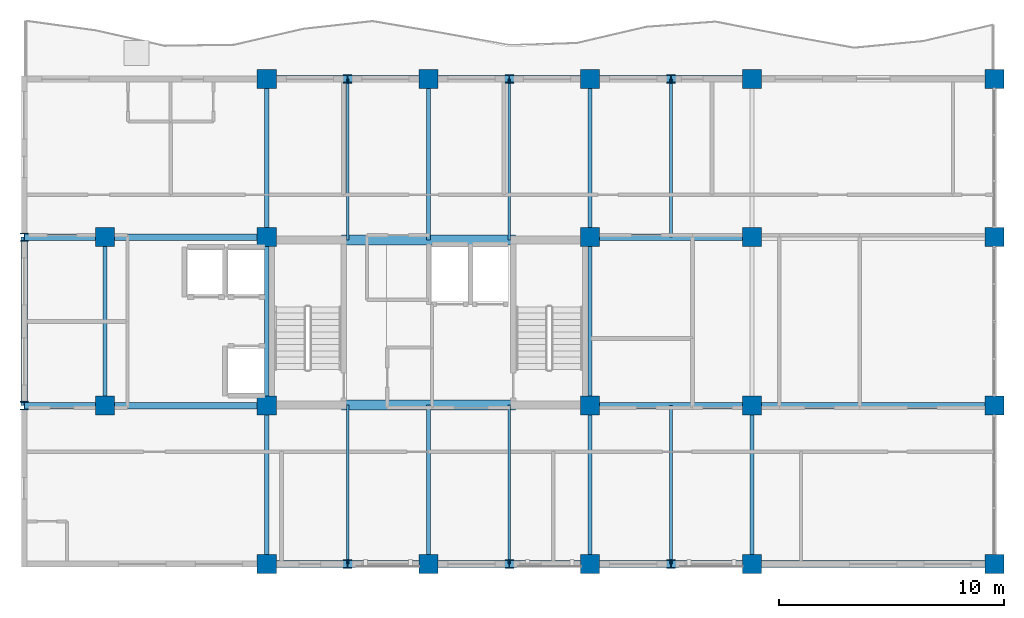
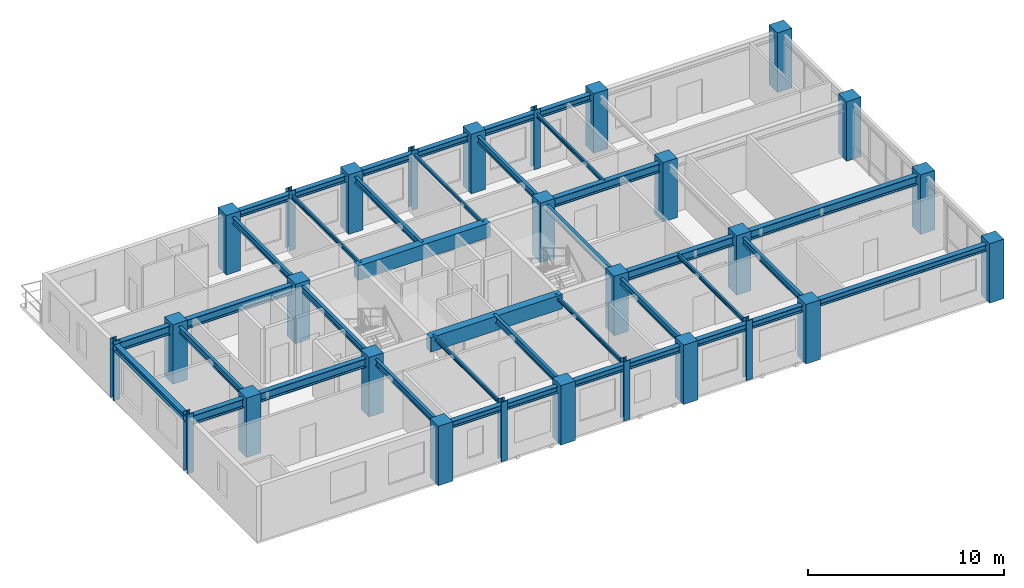
# One storey, part 1 of 11: 39 beams, 28 columns.
"""IFC4 building model written with IfcOpenShell, lengths in metres."""

import ifcopenshell
import ifcopenshell.guid

model = None  # the IFC model being written
_history = None  # IfcOwnerHistory: only IFC2X3 demands one
_inside = {}  # id of a spatial element -> (the spatial element, [elements in it])
_under = {}  # id of a project, library or spatial element -> (it, [spatial elements below it])
_declared = {}  # id of a project -> (the project, [libraries it declares])
_typed = {}  # id of a type object -> (the type object, [elements of that type])
_made_of = {}  # id of a material, layer set ... -> (it, [elements and type objects made of it])


def new_model(schema):
    """Start an empty IFC model of exactly this schema.

    Asked for "IFC4X3", IfcOpenShell would pick the latest addendum, in which some entities
    have other attributes; the version numbers below select the first issue.
    IFC2X3 requires an IfcOwnerHistory on every rooted entity: one is made here for all.
    """
    global model, _history
    if schema == "IFC4X3":
        model = ifcopenshell.file(schema_version=(4, 3, 0, 0))
    else:
        model = ifcopenshell.file(schema=schema)
    _inside.clear()
    _under.clear()
    _declared.clear()
    _typed.clear()
    _made_of.clear()
    _history = None
    if model.schema == "IFC2X3":
        org = make("IfcOrganization", Name="unknown")
        user = make(
            "IfcPersonAndOrganization",
            ThePerson=make("IfcPerson", FamilyName="unknown"),
            TheOrganization=org,
        )
        app = make(
            "IfcApplication",
            ApplicationDeveloper=org,
            Version="unknown",
            ApplicationFullName="unknown",
            ApplicationIdentifier="unknown",
        )
        _history = make(
            "IfcOwnerHistory",
            OwningUser=user,
            OwningApplication=app,
            ChangeAction="ADDED",
            CreationDate=0,
        )
    return model


def make(cls, **values):
    """One entity of the class cls with the attributes given. An attribute that is None is left unset."""
    return model.create_entity(
        cls, **{name: value for name, value in values.items() if value is not None}
    )


def rooted(cls, **values):
    """An entity with a GlobalId (a new one), such as an element, a storey or a relation."""
    return make(cls, GlobalId=ifcopenshell.guid.new(), OwnerHistory=_history, **values)


def si_unit(unit_type, name, prefix=None):
    """IfcSIUnit, for example si_unit("LENGTHUNIT", "METRE", prefix="MILLI")."""
    return make("IfcSIUnit", UnitType=unit_type, Prefix=prefix, Name=name)


def assignment(units):
    """IfcUnitAssignment: the units of a project."""
    return None if units is None else make("IfcUnitAssignment", Units=units)


def point(xyz):
    """IfcCartesianPoint."""
    return None if xyz is None else make("IfcCartesianPoint", Coordinates=xyz)


def direction(xyz):
    """IfcDirection."""
    return None if xyz is None else make("IfcDirection", DirectionRatios=xyz)


def frame(location, z_axis=None, x_axis=None):
    """IfcAxis2Placement3D, a coordinate frame: its origin and axes. An axis left out is left unset."""
    return make(
        "IfcAxis2Placement3D",
        Location=point(location),
        Axis=direction(z_axis),
        RefDirection=direction(x_axis),
    )


def frame_2d(location, x_axis=None):
    """IfcAxis2Placement2D, a coordinate frame in the plane: its origin and x axis."""
    return make(
        "IfcAxis2Placement2D", Location=point(location), RefDirection=direction(x_axis)
    )


def origin():
    """The frame at (0, 0, 0) with its axes left unset."""
    return frame((0.0, 0.0, 0.0))


def origin_2d():
    """The frame at (0, 0) in the plane with its x axis left unset."""
    return frame_2d((0.0, 0.0))


def place(relative_to, where):
    """IfcLocalPlacement: puts the frame where relative to a parent placement (None: the world)."""
    return make(
        "IfcLocalPlacement", PlacementRelTo=relative_to, RelativePlacement=where
    )


def context(
    kind, dimensions, precision=None, world=None, true_north=None, identifier=None
):
    """IfcGeometricRepresentationContext, for example the 3D "Model" context."""
    return make(
        "IfcGeometricRepresentationContext",
        ContextIdentifier=identifier,
        ContextType=kind,
        CoordinateSpaceDimension=dimensions,
        Precision=precision,
        WorldCoordinateSystem=world,
        TrueNorth=true_north,
    )


def subcontext(parent, identifier, kind, view, scale=None):
    """IfcGeometricRepresentationSubContext, for example "Body" below "Model"."""
    return make(
        "IfcGeometricRepresentationSubContext",
        ContextIdentifier=identifier,
        ContextType=kind,
        ParentContext=parent,
        TargetScale=scale,
        TargetView=view,
    )


def project(units=None, contexts=None):
    """IfcProject with its units and contexts."""
    return rooted(
        "IfcProject",
        Name="project",
        RepresentationContexts=contexts,
        UnitsInContext=assignment(units),
    )


def spatial(cls, under=None, at=None, **own):
    """A site, building, storey or space (cls), placed at a placement, below another one or the project."""
    s = rooted(cls, ObjectPlacement=at, **own)
    if under is not None:
        _under.setdefault(under.id(), (under, []))[1].append(s)
    return s


def profile(cls, at=None, kind="AREA", **sizes):
    """A parametric profile (cls). Its sizes go by their IFC names, for example OverallWidth=200.0."""
    return make(cls, ProfileType=kind, Position=at, **sizes)


def rectangle(**sizes):
    """IfcRectangleProfileDef."""
    return profile("IfcRectangleProfileDef", **sizes)


def i_section(**sizes):
    """IfcIShapeProfileDef."""
    return profile("IfcIShapeProfileDef", **sizes)


def extrude(swept, where, along, depth):
    """IfcExtrudedAreaSolid: the profile swept, set in the frame where, extruded along a direction by depth."""
    return make(
        "IfcExtrudedAreaSolid",
        SweptArea=swept,
        Position=where,
        ExtrudedDirection=direction(along),
        Depth=depth,
    )


def shape(context_of_items, identifier, shape_type, items):
    """IfcShapeRepresentation: the items that make up one representation, for example the "Body"."""
    return make(
        "IfcShapeRepresentation",
        ContextOfItems=context_of_items,
        RepresentationIdentifier=identifier,
        RepresentationType=shape_type,
        Items=items,
    )


def source(mapping_origin, context_of_items, identifier, shape_type, items):
    """IfcRepresentationMap: a shape defined once, which mapped items show again and again."""
    return make(
        "IfcRepresentationMap",
        MappingOrigin=mapping_origin,
        MappedRepresentation=shape(context_of_items, identifier, shape_type, items),
    )


def transform(
    local_origin,
    x_axis=None,
    y_axis=None,
    z_axis=None,
    scale=None,
    scale2=None,
    scale3=None,
    uniform=True,
):
    """IfcCartesianTransformationOperator3D, or its non-uniform kind. x_axis, y_axis, z_axis: its Axis1, 2, 3."""
    if uniform:
        return make(
            "IfcCartesianTransformationOperator3D",
            Axis1=direction(x_axis),
            Axis2=direction(y_axis),
            LocalOrigin=point(local_origin),
            Scale=scale,
            Axis3=direction(z_axis),
        )
    return make(
        "IfcCartesianTransformationOperator3DnonUniform",
        Axis1=direction(x_axis),
        Axis2=direction(y_axis),
        LocalOrigin=point(local_origin),
        Scale=scale,
        Axis3=direction(z_axis),
        Scale2=scale2,
        Scale3=scale3,
    )


def mapped(mapping_source, mapping_target):
    """IfcMappedItem: shows the shape of a source again, moved by a transform."""
    return make(
        "IfcMappedItem", MappingSource=mapping_source, MappingTarget=mapping_target
    )


def material(Name=None, Category=None):
    """IfcMaterial."""
    return make("IfcMaterial", Name=Name, Category=Category)


def material_profile(
    of_material, cross_section, Name=None, Category=None, Priority=None
):
    """IfcMaterialProfile: a cross section and its material."""
    return make(
        "IfcMaterialProfile",
        Name=Name,
        Material=of_material,
        Profile=cross_section,
        Priority=Priority,
        Category=Category,
    )


def profile_set(profiles, Name=None, composite=None):
    """IfcMaterialProfileSet."""
    return make(
        "IfcMaterialProfileSet",
        Name=Name,
        MaterialProfiles=profiles,
        CompositeProfile=composite,
    )


def made_of(thing, what):
    """Note that an element or type object is made of a material, layer set ...; save() writes the relation."""
    if what is not None:
        _made_of.setdefault(what.id(), (what, []))[1].append(thing)
    return thing


def type_object(cls, material=None, **own):
    """A type object (cls), such as IfcWallType, which elements share."""
    return made_of(rooted(cls, **own), material)


def element(
    cls,
    number,
    at=None,
    inside=None,
    cuts=None,
    type_object=None,
    material=None,
    context=None,
    identifier="Body",
    shape_type=None,
    held_by="IfcProductDefinitionShape",
    body=None,
    shapes=None,
    **own,
):
    """One element of the class cls, such as IfcWall. Its Tag is "e" and its number.

    at: its placement. inside: the storey or other place that contains it. cuts: it is an
    opening in that element (IfcRelVoidsElement). A single representation is given by context,
    identifier, shape_type and body (its items); several are given by shapes. held_by: the class
    of the entity that holds the representations. save() writes the other relations.
    """
    e = rooted(cls, Tag="e%d" % number, ObjectPlacement=at, **own)
    if body is not None:
        shapes = [shape(context, identifier, shape_type, body)]
    if shapes is not None:
        e.Representation = make(held_by, Representations=shapes)
    if inside is not None:
        _inside.setdefault(inside.id(), (inside, []))[1].append(e)
    if cuts is not None:
        rooted(
            "IfcRelVoidsElement", RelatingBuildingElement=cuts, RelatedOpeningElement=e
        )
    if type_object is not None:
        _typed.setdefault(type_object.id(), (type_object, []))[1].append(e)
    return made_of(e, material)


def aggregate(whole, parts):
    """IfcRelAggregates: a whole, such as a stair, and the parts it consists of."""
    return rooted("IfcRelAggregates", RelatingObject=whole, RelatedObjects=parts)


def save(model, path):
    """Write the relations noted so far, then the file.

    IfcRelAggregates (storeys below a building ...), IfcRelContainedInSpatialStructure (elements
    in a storey), IfcRelDefinesByType, IfcRelAssociatesMaterial and IfcRelDeclares: one each for
    every whole, place, type object, material and project.
    """
    for whole, parts in _under.values():
        aggregate(whole, parts)
    for where, things in _inside.values():
        rooted(
            "IfcRelContainedInSpatialStructure",
            RelatedElements=things,
            RelatingStructure=where,
        )
    for kind, things in _typed.values():
        rooted("IfcRelDefinesByType", RelatedObjects=things, RelatingType=kind)
    for what, things in _made_of.values():
        rooted("IfcRelAssociatesMaterial", RelatedObjects=things, RelatingMaterial=what)
    for by, libraries in _declared.values():
        rooted("IfcRelDeclares", RelatingContext=by, RelatedDefinitions=libraries)
    model.write(path)


model = new_model("IFC4")

# Units and contexts
model_context = context("Model", 3, precision=1e-05, world=origin(), true_north=direction((0.0, 1.0)))
body_context = subcontext(model_context, "Body", "Model", "MODEL_VIEW")
ifc_project = project(units=[si_unit("LENGTHUNIT", "METRE"), si_unit("AREAUNIT", "SQUARE_METRE"), si_unit("VOLUMEUNIT", "CUBIC_METRE"), si_unit("PLANEANGLEUNIT", "RADIAN"), si_unit("MASSUNIT", "GRAM", prefix="KILO")], contexts=[model_context])

# Site, building, storey
site_placement = place(None, origin())
site = spatial("IfcSite", under=ifc_project, at=site_placement, CompositionType="ELEMENT")
building_placement = place(site_placement, origin())
building = spatial("IfcBuilding", under=site, at=building_placement, Name="Kaliganga Portal Commons", CompositionType="ELEMENT")
storey_placement = place(building_placement, frame((0.0, 0.0, 272.10009765625)))
storey = spatial("IfcBuildingStorey", under=building, at=storey_placement, Name="L70", CompositionType="ELEMENT", Elevation=272.10009765625)

# Columns
ifc_material_1 = material(Name="Concrete C50/60", Category="concrete")
ifc_material_profile_1 = material_profile(ifc_material_1, rectangle(XDim=0.85009765625, YDim=0.85009765625, at=origin_2d()), Name="RC 850x850")
ifc_profile_set_1 = profile_set([ifc_material_profile_1], Name="Concrete C50/60")
column_type_1 = type_object("IfcColumnType", Name="COL-MEGA-Z5", PredefinedType="COLUMN", material=ifc_profile_set_1)
shared_shape_1 = source(origin(), body_context, "Body", "SweptSolid", [
    extrude(rectangle(XDim=0.85009765625, YDim=0.85009765625, at=origin_2d()), origin(), (0.0, 0.0, 1.0), 3.699951171875),
])
for number, where, z_axis, x_axis, name in (
    (1, (7.199951171875, 28.64990234375, 0.0), (0.0, 0.0, 1.0), (1.0, 0.0, 0.0), "Column MC-06 L70"),
    (2, (7.199951171875, 36.14990234375, 0.0), (0.0, 0.0, 1.0), (1.0, 0.0, 0.0), "Column MC-06 L70"),
    (3, (14.39990234375, 21.60009765625, 0.0), (0.0, 0.0, 1.0), (1.0, 0.0, 0.0), "Column MC-06 L70"),
    (4, (14.39990234375, 28.64990234375, 0.0), (0.0, 0.0, 1.0), (1.0, 0.0, 0.0), "Column MC-06 L70"),
    (5, (14.39990234375, 36.14990234375, 0.0), (0.0, 0.0, 1.0), (1.0, 0.0, 0.0), "Column MC-06 L70"),
    (6, (14.39990234375, 43.199951171875, 0.0), (0.0, 0.0, 1.0), (1.0, 0.0, 0.0), "Column MC-06 L70"),
    (7, (21.60009765625, 21.60009765625, 0.0), (0.0, 0.0, 1.0), (1.0, 0.0, 0.0), "Column MC-06 L70"),
    (8, (21.60009765625, 43.199951171875, 0.0), (0.0, 0.0, 1.0), (1.0, 0.0, 0.0), "Column MC-06 L70"),
    (9, (28.800048828125, 21.60009765625, 0.0), (0.0, 0.0, 1.0), (1.0, 0.0, 0.0), "Column MC-06 L70"),
    (10, (28.800048828125, 28.64990234375, 0.0), (0.0, 0.0, 1.0), (1.0, 0.0, 0.0), "Column MC-06 L70"),
    (11, (28.800048828125, 36.14990234375, 0.0), (0.0, 0.0, 1.0), (1.0, 0.0, 0.0), "Column MC-06 L70"),
    (12, (28.800048828125, 43.199951171875, 0.0), (0.0, 0.0, 1.0), (1.0, 0.0, 0.0), "Column MC-06 L70"),
    (13, (36.0, 21.60009765625, 0.0), (0.0, 0.0, 1.0), (1.0, 0.0, 0.0), "Column MC-06 L70"),
    (14, (36.0, 43.199951171875, 0.0), (0.0, 0.0, 1.0), (1.0, 0.0, 0.0), "Column MC-06 L70"),
    (15, (36.0, 28.64990234375, 0.0), (0.0, 0.0, 1.0), (1.0, 0.0, 0.0), "Column MC-06 L70"),
    (16, (36.0, 36.14990234375, 0.0), (0.0, 0.0, 1.0), (1.0, 0.0, 0.0), "Column MC-06 L70"),
    (17, (46.800048828125, 21.60009765625, 0.0), (0.0, 0.0, 1.0), (1.0, 0.0, 0.0), "Column MC-06 L70"),
    (18, (46.800048828125, 28.64990234375, 0.0), (0.0, 0.0, 1.0), (1.0, 0.0, 0.0), "Column MC-06 L70"),
    (19, (46.800048828125, 36.14990234375, 0.0), (0.0, 0.0, 1.0), (1.0, 0.0, 0.0), "Column MC-06 L70"),
    (20, (46.800048828125, 43.199951171875, 0.0), (0.0, 0.0, 1.0), (1.0, 0.0, 0.0), "Column MC-06 L70"),
):
    element("IfcColumn", number, at=place(storey_placement, frame(where, z_axis=z_axis, x_axis=x_axis)), inside=storey, type_object=column_type_1, Name=name, PredefinedType="COLUMN", context=body_context, shape_type="MappedRepresentation", body=[
        mapped(shared_shape_1, transform((0.0, 0.0, 0.0), x_axis=(1.0, 0.0, 0.0), y_axis=(0.0, 1.0, 0.0), z_axis=(0.0, 0.0, 1.0), scale=1.0)),
    ])
ifc_material_2 = material(Name="Structural steel S355J2", Category="steel")
ifc_material_profile_2 = material_profile(ifc_material_2, i_section(OverallWidth=0.3740234375, OverallDepth=0.3720703125, WebThickness=0.014892578125, FlangeThickness=0.02587890625, FilletRadius=0.014892578125, at=origin_2d()), Name="HD 360x196")
ifc_profile_set_2 = profile_set([ifc_material_profile_2], Name="Structural steel S355J2 wide-flange")
column_type_2 = type_object("IfcColumnType", Name="COL-TUBE-B5", PredefinedType="COLUMN", material=ifc_profile_set_2)
shared_shape_2 = source(origin(), body_context, "Body", "SweptSolid", [
    extrude(i_section(OverallWidth=0.3740234375, OverallDepth=0.3720703125, WebThickness=0.014892578125, FlangeThickness=0.02587890625, FilletRadius=0.014892578125, at=origin_2d()), origin(), (0.0, 0.0, 1.0), 3.699951171875),
])
for number, where, z_axis, x_axis, name in (
    (21, (3.60009765625, 28.64990234375, 0.0), (0.0, 0.0, 1.0), (1.0, 0.0, 0.0), "Column TC-05 L70"),
    (22, (3.60009765625, 36.14990234375, 0.0), (0.0, 0.0, 1.0), (1.0, 0.0, 0.0), "Column TC-05 L70"),
    (23, (18.0, 21.60009765625, 0.0), (0.0, 0.0, 1.0), (1.0, 0.0, 0.0), "Column TC-05 L70"),
    (24, (18.0, 43.199951171875, 0.0), (0.0, 0.0, 1.0), (1.0, 0.0, 0.0), "Column TC-05 L70"),
    (25, (25.199951171875, 21.60009765625, 0.0), (0.0, 0.0, 1.0), (1.0, 0.0, 0.0), "Column TC-05 L70"),
    (26, (25.199951171875, 43.199951171875, 0.0), (0.0, 0.0, 1.0), (1.0, 0.0, 0.0), "Column TC-05 L70"),
    (27, (32.39990234375, 21.60009765625, 0.0), (0.0, 0.0, 1.0), (1.0, 0.0, 0.0), "Column TC-05 L70"),
    (28, (32.39990234375, 43.199951171875, 0.0), (0.0, 0.0, 1.0), (1.0, 0.0, 0.0), "Column TC-05 L70"),
):
    element("IfcColumn", number, at=place(storey_placement, frame(where, z_axis=z_axis, x_axis=x_axis)), inside=storey, type_object=column_type_2, Name=name, PredefinedType="COLUMN", context=body_context, shape_type="MappedRepresentation", body=[
        mapped(shared_shape_2, transform((0.0, 0.0, 0.0), x_axis=(1.0, 0.0, 0.0), y_axis=(0.0, 1.0, 0.0), z_axis=(0.0, 0.0, 1.0), scale=1.0)),
    ])

# Beams
ifc_material_profile_3 = material_profile(ifc_material_1, rectangle(XDim=0.449951171875, YDim=0.89990234375, at=origin_2d()), Name="RC 450x900")
ifc_profile_set_3 = profile_set([ifc_material_profile_3], Name="Concrete C50/60")
beam_type_1 = type_object("IfcBeamType", Name="BM-CPL-900", PredefinedType="LINTEL", material=ifc_profile_set_3)
shared_shape_3 = source(origin(), body_context, "Body", "SweptSolid", [
    extrude(rectangle(XDim=0.449951171875, YDim=0.89990234375, at=origin_2d()), origin(), (0.0, 0.0, 1.0), 7.739990234375),
])
for number, where, z_axis, x_axis, name in (
    (29, (17.72998046875, 28.675048828125, 3.02490234375), (1.0, 0.0, 0.0), (0.0, 1.0, 0.0), "BM CPL COREA L70 S"),
    (30, (17.72998046875, 36.02490234375, 3.02490234375), (1.0, 0.0, 0.0), (0.0, 1.0, 0.0), "BM CPL COREA L70 N"),
):
    element("IfcBeam", number, at=place(storey_placement, frame(where, z_axis=z_axis, x_axis=x_axis)), inside=storey, type_object=beam_type_1, Name=name, PredefinedType="LINTEL", context=body_context, shape_type="MappedRepresentation", body=[
        mapped(shared_shape_3, transform((0.0, 0.0, 0.0), x_axis=(1.0, 0.0, 0.0), y_axis=(0.0, 1.0, 0.0), z_axis=(0.0, 0.0, 1.0), scale=1.0)),
    ])
ifc_material_profile_4 = material_profile(ifc_material_2, i_section(OverallWidth=0.300048828125, OverallDepth=0.39990234375, WebThickness=0.013427734375, FlangeThickness=0.02392578125, FilletRadius=0.027099609375, at=origin_2d()), Name="HE 400 B")
ifc_profile_set_4 = profile_set([ifc_material_profile_4], Name="Structural steel S355J2 wide-flange")
beam_type_2 = type_object("IfcBeamType", Name="BM-SPAND-400", PredefinedType="SPANDREL", material=ifc_profile_set_4)
shared_shape_4 = source(origin(), body_context, "Body", "SweptSolid", [
    extrude(i_section(OverallWidth=0.300048828125, OverallDepth=0.39990234375, WebThickness=0.013427734375, FlangeThickness=0.02392578125, FilletRadius=0.027099609375, at=origin_2d()), origin(), (0.0, 0.0, 1.0), 3.60009765625),
])
for number, where, z_axis, x_axis, name in (
    (31, (14.39990234375, 43.199951171875, 3.27490234375), (1.0, 0.0, 0.0), (0.0, 1.0, 0.0), "BM SP L70 AN 1"),
    (32, (18.0, 43.199951171875, 3.27490234375), (1.0, 0.0, 0.0), (0.0, 1.0, 0.0), "BM SP L70 AN 2"),
    (33, (25.199951171875, 43.199951171875, 3.27490234375), (1.0, 0.0, 0.0), (0.0, 1.0, 0.0), "BM SP L70 AN 4"),
    (34, (32.39990234375, 43.199951171875, 3.27490234375), (1.0, 0.0, 0.0), (0.0, 1.0, 0.0), "BM SP L70 AN 6"),
    (35, (14.39990234375, 21.60009765625, 3.27490234375), (1.0, 0.0, 0.0), (0.0, 1.0, 0.0), "BM SP L70 AS 1"),
    (36, (18.0, 21.60009765625, 3.27490234375), (1.0, 0.0, 0.0), (0.0, 1.0, 0.0), "BM SP L70 AS 2"),
    (37, (25.199951171875, 21.60009765625, 3.27490234375), (1.0, 0.0, 0.0), (0.0, 1.0, 0.0), "BM SP L70 AS 4"),
    (38, (32.39990234375, 21.60009765625, 3.27490234375), (1.0, 0.0, 0.0), (0.0, 1.0, 0.0), "BM SP L70 AS 6"),
):
    element("IfcBeam", number, at=place(storey_placement, frame(where, z_axis=z_axis, x_axis=x_axis)), inside=storey, type_object=beam_type_2, Name=name, PredefinedType="SPANDREL", context=body_context, shape_type="MappedRepresentation", body=[
        mapped(shared_shape_4, transform((0.0, 0.0, 0.0), x_axis=(1.0, 0.0, 0.0), y_axis=(0.0, 1.0, 0.0), z_axis=(0.0, 0.0, 1.0), scale=1.0)),
    ])
shared_shape_5 = source(origin(), body_context, "Body", "SweptSolid", [
    extrude(i_section(OverallWidth=0.300048828125, OverallDepth=0.39990234375, WebThickness=0.013427734375, FlangeThickness=0.02392578125, FilletRadius=0.027099609375, at=origin_2d()), origin(), (0.0, 0.0, 1.0), 3.599853515625),
])
for number, where, z_axis, x_axis, name in (
    (39, (21.60009765625, 43.199951171875, 3.27490234375), (1.0, 0.0, 0.0), (0.0, 1.0, 0.0), "BM SP L70 AN 3"),
    (40, (28.800048828125, 43.199951171875, 3.27490234375), (1.0, 0.0, 0.0), (0.0, 1.0, 0.0), "BM SP L70 AN 5"),
    (41, (21.60009765625, 21.60009765625, 3.27490234375), (1.0, 0.0, 0.0), (0.0, 1.0, 0.0), "BM SP L70 AS 3"),
    (42, (28.800048828125, 21.60009765625, 3.27490234375), (1.0, 0.0, 0.0), (0.0, 1.0, 0.0), "BM SP L70 AS 5"),
):
    element("IfcBeam", number, at=place(storey_placement, frame(where, z_axis=z_axis, x_axis=x_axis)), inside=storey, type_object=beam_type_2, Name=name, PredefinedType="SPANDREL", context=body_context, shape_type="MappedRepresentation", body=[
        mapped(shared_shape_5, transform((0.0, 0.0, 0.0), x_axis=(1.0, 0.0, 0.0), y_axis=(0.0, 1.0, 0.0), z_axis=(0.0, 0.0, 1.0), scale=1.0)),
    ])
shared_shape_6 = source(origin(), body_context, "Body", "SweptSolid", [
    extrude(i_section(OverallWidth=0.300048828125, OverallDepth=0.39990234375, WebThickness=0.013427734375, FlangeThickness=0.02392578125, FilletRadius=0.027099609375, at=origin_2d()), origin(), (0.0, 0.0, 1.0), 10.800048828125),
])
beam_1_placement = place(storey_placement, frame((36.0, 21.60009765625, 3.27490234375), z_axis=(1.0, 0.0, 0.0), x_axis=(0.0, 1.0, 0.0)))
element("IfcBeam", 43, at=beam_1_placement, inside=storey, type_object=beam_type_2, Name="BM SP L70 AS 7", PredefinedType="SPANDREL", context=body_context, shape_type="MappedRepresentation", body=[
    mapped(shared_shape_6, transform((0.0, 0.0, 0.0), x_axis=(1.0, 0.0, 0.0), y_axis=(0.0, 1.0, 0.0), z_axis=(0.0, 0.0, 1.0), scale=1.0)),
])
ifc_material_profile_5 = material_profile(ifc_material_2, i_section(OverallWidth=0.300048828125, OverallDepth=0.550048828125, WebThickness=0.014892578125, FlangeThickness=0.029052734375, FilletRadius=0.027099609375, at=origin_2d()), Name="HE 550 B")
ifc_profile_set_5 = profile_set([ifc_material_profile_5], Name="Structural steel S355J2 wide-flange")
beam_type_3 = type_object("IfcBeamType", Name="BM-GIRD-550", PredefinedType="USERDEFINED", material=ifc_profile_set_5)
shared_shape_7 = source(origin(), body_context, "Body", "SweptSolid", [
    extrude(i_section(OverallWidth=0.300048828125, OverallDepth=0.550048828125, WebThickness=0.014892578125, FlangeThickness=0.029052734375, FilletRadius=0.027099609375, at=origin_2d()), origin(), (0.0, 0.0, 1.0), 7.199951171875),
])
for number, where, z_axis, x_axis, name in (
    (44, (7.199951171875, 28.64990234375, 3.199951171875), (1.0, 0.0, 0.0), (0.0, 1.0, 0.0), "BM G L70 WAH_S 2"),
    (45, (7.199951171875, 36.14990234375, 3.199951171875), (1.0, 0.0, 0.0), (0.0, 1.0, 0.0), "BM G L70 WAH_N 2"),
    (46, (28.800048828125, 28.64990234375, 3.199951171875), (1.0, 0.0, 0.0), (0.0, 1.0, 0.0), "BM G L70 WAE_S 1"),
    (47, (28.800048828125, 36.14990234375, 3.199951171875), (1.0, 0.0, 0.0), (0.0, 1.0, 0.0), "BM G L70 WAE_N 1"),
):
    element("IfcBeam", number, at=place(storey_placement, frame(where, z_axis=z_axis, x_axis=x_axis)), inside=storey, type_object=beam_type_3, Name=name, ObjectType="GIRDER", PredefinedType="USERDEFINED", context=body_context, shape_type="MappedRepresentation", body=[
        mapped(shared_shape_7, transform((0.0, 0.0, 0.0), x_axis=(1.0, 0.0, 0.0), y_axis=(0.0, 1.0, 0.0), z_axis=(0.0, 0.0, 1.0), scale=1.0)),
    ])
shared_shape_8 = source(origin(), body_context, "Body", "SweptSolid", [
    extrude(i_section(OverallWidth=0.300048828125, OverallDepth=0.550048828125, WebThickness=0.014892578125, FlangeThickness=0.029052734375, FilletRadius=0.027099609375, at=origin_2d()), origin(), (0.0, 0.0, 1.0), 10.800048828125),
])
beam_2_placement = place(storey_placement, frame((36.0, 28.64990234375, 3.199951171875), z_axis=(1.0, 0.0, 0.0), x_axis=(0.0, 1.0, 0.0)))
element("IfcBeam", 48, at=beam_2_placement, inside=storey, type_object=beam_type_3, Name="BM G L70 WAE_S 2", ObjectType="GIRDER", PredefinedType="USERDEFINED", context=body_context, shape_type="MappedRepresentation", body=[
    mapped(shared_shape_8, transform((0.0, 0.0, 0.0), x_axis=(1.0, 0.0, 0.0), y_axis=(0.0, 1.0, 0.0), z_axis=(0.0, 0.0, 1.0), scale=1.0)),
])
shared_shape_9 = source(origin(), body_context, "Body", "SweptSolid", [
    extrude(i_section(OverallWidth=0.300048828125, OverallDepth=0.550048828125, WebThickness=0.014892578125, FlangeThickness=0.029052734375, FilletRadius=0.027099609375, at=origin_2d()), origin(), (0.0, 0.0, 1.0), 3.599853515625),
])
for number, where, z_axis, x_axis, name in (
    (49, (3.60009765625, 28.64990234375, 3.199951171875), (1.0, 0.0, 0.0), (0.0, 1.0, 0.0), "BM G L70 WAH_S 1"),
    (50, (3.60009765625, 36.14990234375, 3.199951171875), (1.0, 0.0, 0.0), (0.0, 1.0, 0.0), "BM G L70 WAH_N 1"),
):
    element("IfcBeam", number, at=place(storey_placement, frame(where, z_axis=z_axis, x_axis=x_axis)), inside=storey, type_object=beam_type_3, Name=name, ObjectType="GIRDER", PredefinedType="USERDEFINED", context=body_context, shape_type="MappedRepresentation", body=[
        mapped(shared_shape_9, transform((0.0, 0.0, 0.0), x_axis=(1.0, 0.0, 0.0), y_axis=(0.0, 1.0, 0.0), z_axis=(0.0, 0.0, 1.0), scale=1.0)),
    ])
shared_shape_10 = source(origin(), body_context, "Body", "SweptSolid", [
    extrude(i_section(OverallWidth=0.300048828125, OverallDepth=0.39990234375, WebThickness=0.013427734375, FlangeThickness=0.02392578125, FilletRadius=0.027099609375, at=origin_2d()), origin(), (0.0, 0.0, 1.0), 7.5),
])
beam_3_placement = place(storey_placement, frame((3.60009765625, 28.64990234375, 3.27490234375), z_axis=(0.0, 1.0, 0.0), x_axis=(-1.0, 0.0, 0.0)))
element("IfcBeam", 51, at=beam_3_placement, inside=storey, type_object=beam_type_2, Name="BM SP L70 AW", PredefinedType="SPANDREL", context=body_context, shape_type="MappedRepresentation", body=[
    mapped(shared_shape_10, transform((0.0, 0.0, 0.0), x_axis=(1.0, 0.0, 0.0), y_axis=(0.0, 1.0, 0.0), z_axis=(0.0, 0.0, 1.0), scale=1.0)),
])
ifc_material_profile_6 = material_profile(ifc_material_2, i_section(OverallWidth=0.179931640625, OverallDepth=0.39990234375, WebThickness=0.008544921875, FlangeThickness=0.013427734375, FilletRadius=0.02099609375, at=origin_2d()), Name="IPE 400")
ifc_profile_set_6 = profile_set([ifc_material_profile_6], Name="Structural steel S355J2 wide-flange")
beam_type_4 = type_object("IfcBeamType", Name="BM-FLR-400", PredefinedType="BEAM", material=ifc_profile_set_6)
shared_shape_11 = source(origin(), body_context, "Body", "SweptSolid", [
    extrude(i_section(OverallWidth=0.179931640625, OverallDepth=0.39990234375, WebThickness=0.008544921875, FlangeThickness=0.013427734375, FilletRadius=0.02099609375, at=origin_2d()), origin(), (0.0, 0.0, 1.0), 7.5),
])
for number, where, z_axis, x_axis, name in (
    (52, (7.199951171875, 28.64990234375, 3.27490234375), (0.0, 1.0, 0.0), (-1.0, 0.0, 0.0), "BM G L70 AW72"),
    (53, (14.39990234375, 28.64990234375, 3.27490234375), (0.0, 1.0, 0.0), (-1.0, 0.0, 0.0), "BM G L70 AM144"),
    (54, (28.800048828125, 28.64990234375, 3.27490234375), (0.0, 1.0, 0.0), (-1.0, 0.0, 0.0), "BM G L70 AM288"),
):
    element("IfcBeam", number, at=place(storey_placement, frame(where, z_axis=z_axis, x_axis=x_axis)), inside=storey, type_object=beam_type_4, Name=name, PredefinedType="BEAM", context=body_context, shape_type="MappedRepresentation", body=[
        mapped(shared_shape_11, transform((0.0, 0.0, 0.0), x_axis=(1.0, 0.0, 0.0), y_axis=(0.0, 1.0, 0.0), z_axis=(0.0, 0.0, 1.0), scale=1.0)),
    ])
shared_shape_12 = source(origin(), body_context, "Body", "SweptSolid", [
    extrude(i_section(OverallWidth=0.179931640625, OverallDepth=0.39990234375, WebThickness=0.008544921875, FlangeThickness=0.013427734375, FilletRadius=0.02099609375, at=origin_2d()), origin(), (0.0, 0.0, 1.0), 7.050048828125),
])
for number, where, z_axis, x_axis, name in (
    (55, (14.39990234375, 36.14990234375, 3.27490234375), (0.0, 1.0, 0.0), (-1.0, 0.0, 0.0), "BM G L70 AN144"),
    (56, (28.800048828125, 36.14990234375, 3.27490234375), (0.0, 1.0, 0.0), (-1.0, 0.0, 0.0), "BM G L70 AN288"),
):
    element("IfcBeam", number, at=place(storey_placement, frame(where, z_axis=z_axis, x_axis=x_axis)), inside=storey, type_object=beam_type_4, Name=name, PredefinedType="BEAM", context=body_context, shape_type="MappedRepresentation", body=[
        mapped(shared_shape_12, transform((0.0, 0.0, 0.0), x_axis=(1.0, 0.0, 0.0), y_axis=(0.0, 1.0, 0.0), z_axis=(0.0, 0.0, 1.0), scale=1.0)),
    ])
shared_shape_13 = source(origin(), body_context, "Body", "SweptSolid", [
    extrude(i_section(OverallWidth=0.179931640625, OverallDepth=0.39990234375, WebThickness=0.008544921875, FlangeThickness=0.013427734375, FilletRadius=0.02099609375, at=origin_2d()), origin(), (0.0, 0.0, 1.0), 7.0498046875),
])
for number, where, z_axis, x_axis, name in (
    (57, (14.39990234375, 21.60009765625, 3.27490234375), (0.0, 1.0, 0.0), (-1.0, 0.0, 0.0), "BM G L70 AS144"),
    (58, (28.800048828125, 21.60009765625, 3.27490234375), (0.0, 1.0, 0.0), (-1.0, 0.0, 0.0), "BM G L70 AS288"),
    (59, (36.0, 21.60009765625, 3.27490234375), (0.0, 1.0, 0.0), (-1.0, 0.0, 0.0), "BM G L70 AS360"),
):
    element("IfcBeam", number, at=place(storey_placement, frame(where, z_axis=z_axis, x_axis=x_axis)), inside=storey, type_object=beam_type_4, Name=name, PredefinedType="BEAM", context=body_context, shape_type="MappedRepresentation", body=[
        mapped(shared_shape_13, transform((0.0, 0.0, 0.0), x_axis=(1.0, 0.0, 0.0), y_axis=(0.0, 1.0, 0.0), z_axis=(0.0, 0.0, 1.0), scale=1.0)),
    ])
shared_shape_14 = source(origin(), body_context, "Body", "SweptSolid", [
    extrude(i_section(OverallWidth=0.179931640625, OverallDepth=0.39990234375, WebThickness=0.008544921875, FlangeThickness=0.013427734375, FilletRadius=0.02099609375, at=origin_2d()), origin(), (0.0, 0.0, 1.0), 7.175048828125),
])
beam_4_placement = place(storey_placement, frame((21.60009765625, 36.02490234375, 3.27490234375), z_axis=(0.0, 1.0, 0.0), x_axis=(-1.0, 0.0, 0.0)))
element("IfcBeam", 60, at=beam_4_placement, inside=storey, type_object=beam_type_4, Name="BM G L70 AN216", PredefinedType="BEAM", context=body_context, shape_type="MappedRepresentation", body=[
    mapped(shared_shape_14, transform((0.0, 0.0, 0.0), x_axis=(1.0, 0.0, 0.0), y_axis=(0.0, 1.0, 0.0), z_axis=(0.0, 0.0, 1.0), scale=1.0)),
])
shared_shape_15 = source(origin(), body_context, "Body", "SweptSolid", [
    extrude(i_section(OverallWidth=0.179931640625, OverallDepth=0.39990234375, WebThickness=0.008544921875, FlangeThickness=0.013427734375, FilletRadius=0.02099609375, at=origin_2d()), origin(), (0.0, 0.0, 1.0), 7.074951171875),
])
beam_5_placement = place(storey_placement, frame((21.60009765625, 21.60009765625, 3.27490234375), z_axis=(0.0, 1.0, 0.0), x_axis=(-1.0, 0.0, 0.0)))
element("IfcBeam", 61, at=beam_5_placement, inside=storey, type_object=beam_type_4, Name="BM G L70 AS216", PredefinedType="BEAM", context=body_context, shape_type="MappedRepresentation", body=[
    mapped(shared_shape_15, transform((0.0, 0.0, 0.0), x_axis=(1.0, 0.0, 0.0), y_axis=(0.0, 1.0, 0.0), z_axis=(0.0, 0.0, 1.0), scale=1.0)),
])
ifc_material_profile_7 = material_profile(ifc_material_2, i_section(OverallWidth=0.1201171875, OverallDepth=0.239990234375, WebThickness=0.006103515625, FlangeThickness=0.009765625, FilletRadius=0.014892578125, at=origin_2d()), Name="IPE 240")
ifc_profile_set_7 = profile_set([ifc_material_profile_7], Name="Structural steel S355J2 wide-flange")
beam_type_5 = type_object("IfcBeamType", Name="BM-JST-240", PredefinedType="JOIST", material=ifc_profile_set_7)
shared_shape_16 = source(origin(), body_context, "Body", "SweptSolid", [
    extrude(i_section(OverallWidth=0.1201171875, OverallDepth=0.239990234375, WebThickness=0.006103515625, FlangeThickness=0.009765625, FilletRadius=0.014892578125, at=origin_2d()), origin(), (0.0, 0.0, 1.0), 7.175048828125),
])
for number, where, z_axis, x_axis, name in (
    (62, (18.0, 36.02490234375, 3.35498046875), (0.0, 1.0, 0.0), (-1.0, 0.0, 0.0), "BM G L70 AN180"),
    (63, (25.199951171875, 36.02490234375, 3.35498046875), (0.0, 1.0, 0.0), (-1.0, 0.0, 0.0), "BM G L70 AN252"),
):
    element("IfcBeam", number, at=place(storey_placement, frame(where, z_axis=z_axis, x_axis=x_axis)), inside=storey, type_object=beam_type_5, Name=name, PredefinedType="JOIST", context=body_context, shape_type="MappedRepresentation", body=[
        mapped(shared_shape_16, transform((0.0, 0.0, 0.0), x_axis=(1.0, 0.0, 0.0), y_axis=(0.0, 1.0, 0.0), z_axis=(0.0, 0.0, 1.0), scale=1.0)),
    ])
shared_shape_17 = source(origin(), body_context, "Body", "SweptSolid", [
    extrude(i_section(OverallWidth=0.1201171875, OverallDepth=0.239990234375, WebThickness=0.006103515625, FlangeThickness=0.009765625, FilletRadius=0.014892578125, at=origin_2d()), origin(), (0.0, 0.0, 1.0), 7.074951171875),
])
for number, where, z_axis, x_axis, name in (
    (64, (18.0, 21.60009765625, 3.35498046875), (0.0, 1.0, 0.0), (-1.0, 0.0, 0.0), "BM G L70 AS180"),
    (65, (25.199951171875, 21.60009765625, 3.35498046875), (0.0, 1.0, 0.0), (-1.0, 0.0, 0.0), "BM G L70 AS252"),
):
    element("IfcBeam", number, at=place(storey_placement, frame(where, z_axis=z_axis, x_axis=x_axis)), inside=storey, type_object=beam_type_5, Name=name, PredefinedType="JOIST", context=body_context, shape_type="MappedRepresentation", body=[
        mapped(shared_shape_17, transform((0.0, 0.0, 0.0), x_axis=(1.0, 0.0, 0.0), y_axis=(0.0, 1.0, 0.0), z_axis=(0.0, 0.0, 1.0), scale=1.0)),
    ])
shared_shape_18 = source(origin(), body_context, "Body", "SweptSolid", [
    extrude(i_section(OverallWidth=0.1201171875, OverallDepth=0.239990234375, WebThickness=0.006103515625, FlangeThickness=0.009765625, FilletRadius=0.014892578125, at=origin_2d()), origin(), (0.0, 0.0, 1.0), 7.050048828125),
])
beam_6_placement = place(storey_placement, frame((32.39990234375, 36.14990234375, 3.35498046875), z_axis=(0.0, 1.0, 0.0), x_axis=(-1.0, 0.0, 0.0)))
element("IfcBeam", 66, at=beam_6_placement, inside=storey, type_object=beam_type_5, Name="BM G L70 AN324", PredefinedType="JOIST", context=body_context, shape_type="MappedRepresentation", body=[
    mapped(shared_shape_18, transform((0.0, 0.0, 0.0), x_axis=(1.0, 0.0, 0.0), y_axis=(0.0, 1.0, 0.0), z_axis=(0.0, 0.0, 1.0), scale=1.0)),
])
shared_shape_19 = source(origin(), body_context, "Body", "SweptSolid", [
    extrude(i_section(OverallWidth=0.1201171875, OverallDepth=0.239990234375, WebThickness=0.006103515625, FlangeThickness=0.009765625, FilletRadius=0.014892578125, at=origin_2d()), origin(), (0.0, 0.0, 1.0), 7.0498046875),
])
beam_7_placement = place(storey_placement, frame((32.39990234375, 21.60009765625, 3.35498046875), z_axis=(0.0, 1.0, 0.0), x_axis=(-1.0, 0.0, 0.0)))
element("IfcBeam", 67, at=beam_7_placement, inside=storey, type_object=beam_type_5, Name="BM G L70 AS324", PredefinedType="JOIST", context=body_context, shape_type="MappedRepresentation", body=[
    mapped(shared_shape_19, transform((0.0, 0.0, 0.0), x_axis=(1.0, 0.0, 0.0), y_axis=(0.0, 1.0, 0.0), z_axis=(0.0, 0.0, 1.0), scale=1.0)),
])

save(model, "model.ifc")
